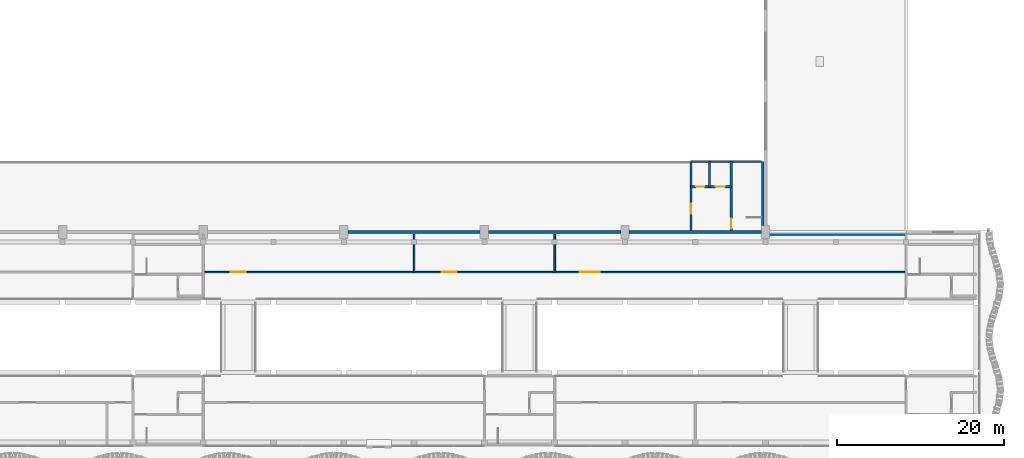
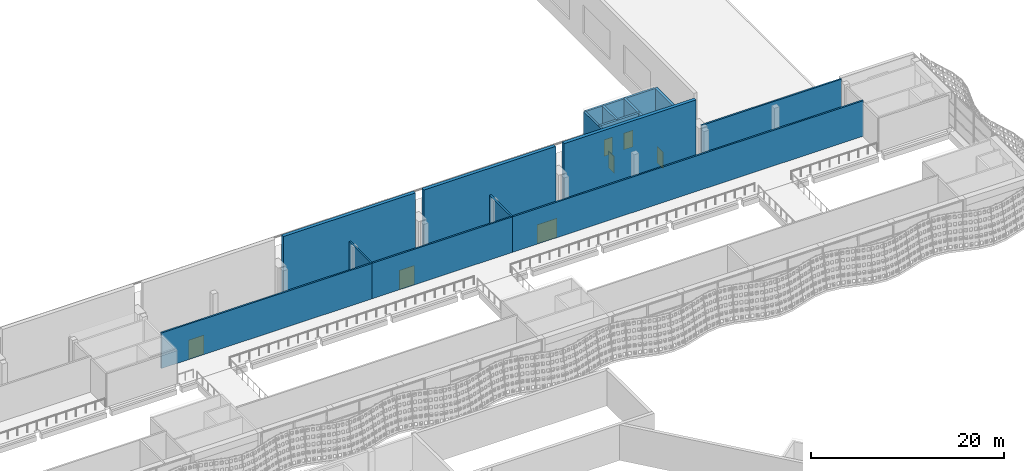
# One storey, part 90 of 162: 15 walls, 7 doors, 7 openings.
"""IFC4 building model written with IfcOpenShell, lengths in metres."""

from ifc_helpers import new_model, si_unit, direction, frame, frame_2d, origin, place, context, subcontext, project, spatial, rectangle, extrude, material, layer, layer_set, type_object, element, fill, save


model = new_model("IFC4")

# Units and contexts
model_context = context("Model", 3, precision=1e-05, world=origin(), true_north=direction((0.0, 1.0)))
body_context = subcontext(model_context, "Body", "Model", "MODEL_VIEW")
ifc_project = project(units=[si_unit("LENGTHUNIT", "METRE"), si_unit("AREAUNIT", "SQUARE_METRE"), si_unit("VOLUMEUNIT", "CUBIC_METRE"), si_unit("PLANEANGLEUNIT", "RADIAN"), si_unit("MASSUNIT", "GRAM", prefix="KILO")], contexts=[model_context])

# Site, building, storey
site_placement = place(None, origin())
site = spatial("IfcSite", under=ifc_project, at=site_placement, CompositionType="ELEMENT")
building_placement = place(site_placement, origin())
building = spatial("IfcBuilding", under=site, at=building_placement, Name="Rain Tree Exposition and Congress Centre", CompositionType="ELEMENT")
storey_placement = place(building_placement, frame((0.0, 0.0, 6.0)))
storey = spatial("IfcBuildingStorey", under=building, at=storey_placement, Name="L01", CompositionType="ELEMENT", Elevation=6.0)

# Walls
ifc_material_1 = material(Name="Hollow blockwork partition", Category="masonry")
ifc_layer_1 = layer(ifc_material_1, 0.199951171875)
ifc_layer_set_1 = layer_set([ifc_layer_1], Name="Hollow blockwork partition")
wall_type_1 = type_object("IfcWallType", Name="Concourse blockwork partition 200", PredefinedType="PARTITIONING", material=ifc_layer_set_1)
for number, where, z_axis, x_axis, name in (
    (1, (201.60009765625, 100.5, 0.0), (0.0, 0.0, 1.0), (0.0, -1.0, 0.0), "Concourse partition L01"),
    (2, (218.39990234375, 100.5, 0.0), (0.0, 0.0, 1.0), (0.0, -1.0, 0.0), "Concourse partition L01"),
):
    element("IfcWall", number, at=place(storey_placement, frame(where, z_axis=z_axis, x_axis=x_axis)), inside=storey, type_object=wall_type_1, Name=name, PredefinedType="PARTITIONING", context=body_context, shape_type="SweptSolid", body=[
        extrude(rectangle(XDim=4.5, YDim=0.199951171875, at=frame_2d((2.25, 0.0))), origin(), (0.0, 0.0, 1.0), 4.5),
    ])

# Wall, opening, door
wall_1_placement = place(storey_placement, frame((176.39990234375, 96.0, 0.0), z_axis=(0.0, 0.0, 1.0), x_axis=(1.0, 0.0, 0.0)))
wall_1 = element("IfcWall", 3, at=wall_1_placement, inside=storey, type_object=wall_type_1, Name="Concourse room front L01", PredefinedType="PARTITIONING", context=body_context, shape_type="SweptSolid", body=[
    extrude(rectangle(XDim=25.2001953125, YDim=0.199951171875, at=frame_2d((12.60009765625, 0.0))), origin(), (0.0, 0.0, 1.0), 4.5),
])
opening_1_placement = place(wall_1_placement, frame((3.300048828125, 0.0, 0.0)))
opening_1 = element("IfcOpeningElement", 4, at=opening_1_placement, cuts=wall_1, Name="Opening DC089", PredefinedType="OPENING", context=body_context, shape_type="SweptSolid", body=[
    extrude(rectangle(XDim=1.800048828125, YDim=2.39990234375, at=frame_2d((0.89990234375, 1.199951171875))), frame((0.0, 0.10009765625, 0.0), z_axis=(0.0, -1.0, 0.0), x_axis=(1.0, 0.0, 0.0)), (0.0, 0.0, 1.0), 0.199951171875),
])
ifc_material_2 = material(Name="Aluminium framed glazed door", Category="aluminium")
door_type_1 = type_object("IfcDoorType", Name="Concourse double door 1800x2400", OperationType="DOUBLE_DOOR_DOUBLE_SWING", PredefinedType="DOOR", material=ifc_material_2)
door_1_placement = place(opening_1_placement, origin())
door_1 = element("IfcDoor", 5, at=door_1_placement, inside=storey, type_object=door_type_1, Name="Room door DC089", OperationType="DOUBLE_DOOR_DOUBLE_SWING", OverallHeight=2.39990234375, OverallWidth=1.800048828125, PredefinedType="DOOR", context=body_context, shape_type="SweptSolid", body=[
    extrude(rectangle(XDim=1.800048828125, YDim=2.39990234375, at=frame_2d((0.89990234375, 1.199951171875))), frame((0.0, 0.02490234375, 0.0), z_axis=(0.0, -1.0, 0.0), x_axis=(1.0, 0.0, 0.0)), (0.0, 0.0, 1.0), 0.050048828125),
])
fill(opening_1, door_1)

wall_2_placement = place(storey_placement, frame((201.60009765625, 96.0, 0.0), z_axis=(0.0, 0.0, 1.0), x_axis=(1.0, 0.0, 0.0)))
wall_2 = element("IfcWall", 6, at=wall_2_placement, inside=storey, type_object=wall_type_1, Name="Concourse room front L01", PredefinedType="PARTITIONING", context=body_context, shape_type="SweptSolid", body=[
    extrude(rectangle(XDim=16.7998046875, YDim=0.199951171875, at=frame_2d((8.39990234375, 0.0))), origin(), (0.0, 0.0, 1.0), 4.5),
])
opening_2_placement = place(wall_2_placement, frame((3.300048828125, 0.0, 0.0)))
opening_2 = element("IfcOpeningElement", 7, at=opening_2_placement, cuts=wall_2, Name="Opening DC090", PredefinedType="OPENING", context=body_context, shape_type="SweptSolid", body=[
    extrude(rectangle(XDim=1.800048828125, YDim=2.39990234375, at=frame_2d((0.89990234375, 1.199951171875))), frame((0.0, 0.10009765625, 0.0), z_axis=(0.0, -1.0, 0.0), x_axis=(1.0, 0.0, 0.0)), (0.0, 0.0, 1.0), 0.199951171875),
])
door_2_placement = place(opening_2_placement, origin())
door_2 = element("IfcDoor", 8, at=door_2_placement, inside=storey, type_object=door_type_1, Name="Room door DC090", OperationType="DOUBLE_DOOR_DOUBLE_SWING", OverallHeight=2.39990234375, OverallWidth=1.800048828125, PredefinedType="DOOR", context=body_context, shape_type="SweptSolid", body=[
    extrude(rectangle(XDim=1.800048828125, YDim=2.39990234375, at=frame_2d((0.89990234375, 1.199951171875))), frame((0.0, 0.02490234375, 0.0), z_axis=(0.0, -1.0, 0.0), x_axis=(1.0, 0.0, 0.0)), (0.0, 0.0, 1.0), 0.050048828125),
])
fill(opening_2, door_2)

wall_3_placement = place(storey_placement, frame((218.39990234375, 96.0, 0.0), z_axis=(0.0, 0.0, 1.0), x_axis=(1.0, 0.0, 0.0)))
wall_3 = element("IfcWall", 9, at=wall_3_placement, inside=storey, type_object=wall_type_1, Name="Concourse room front L01", PredefinedType="PARTITIONING", context=body_context, shape_type="SweptSolid", body=[
    extrude(rectangle(XDim=42.0, YDim=0.199951171875, at=frame_2d((21.0, 0.0))), origin(), (0.0, 0.0, 1.0), 4.5),
])
opening_3_placement = place(wall_3_placement, frame((3.0, 0.0, 0.0)))
opening_3 = element("IfcOpeningElement", 10, at=opening_3_placement, cuts=wall_3, Name="Opening DC091", PredefinedType="OPENING", context=body_context, shape_type="SweptSolid", body=[
    extrude(rectangle(XDim=2.39990234375, YDim=2.39990234375, at=frame_2d((1.199951171875, 1.199951171875))), frame((0.0, 0.10009765625, 0.0), z_axis=(0.0, -1.0, 0.0), x_axis=(1.0, 0.0, 0.0)), (0.0, 0.0, 1.0), 0.199951171875),
])
ifc_material_3 = material(Name="Aluminium framed glazed door", Category="aluminium")
door_type_2 = type_object("IfcDoorType", Name="Concourse double door 2400x2400", OperationType="DOUBLE_DOOR_DOUBLE_SWING", PredefinedType="DOOR", material=ifc_material_3)
door_3_placement = place(opening_3_placement, origin())
door_3 = element("IfcDoor", 11, at=door_3_placement, inside=storey, type_object=door_type_2, Name="Room door DC091", OperationType="DOUBLE_DOOR_DOUBLE_SWING", OverallHeight=2.39990234375, OverallWidth=2.39990234375, PredefinedType="DOOR", context=body_context, shape_type="SweptSolid", body=[
    extrude(rectangle(XDim=2.39990234375, YDim=2.39990234375, at=frame_2d((1.199951171875, 1.199951171875))), frame((0.0, 0.02490234375, 0.0), z_axis=(0.0, -1.0, 0.0), x_axis=(1.0, 0.0, 0.0)), (0.0, 0.0, 1.0), 0.050048828125),
])
fill(opening_3, door_3)

# Walls
ifc_material_4 = material(Name="Concrete C40/50", Category="concrete")
ifc_layer_2 = layer(ifc_material_4, 0.199951171875)
ifc_layer_set_2 = layer_set([ifc_layer_2], Name="Concrete C40/50")
wall_type_2 = type_object("IfcWallType", Name="Concourse infill wall 200", PredefinedType="SOLIDWALL", material=ifc_layer_set_2)
wall_4_placement = place(storey_placement, frame((243.60009765625, 100.5, 0.0), z_axis=(0.0, 0.0, 1.0), x_axis=(1.0, 0.0, 0.0)))
element("IfcWall", 12, at=wall_4_placement, inside=storey, type_object=wall_type_2, Name="Concourse north wall over the service block", PredefinedType="SOLIDWALL", context=body_context, shape_type="SweptSolid", body=[
    extrude(rectangle(XDim=16.7998046875, YDim=0.199951171875, at=frame_2d((8.39990234375, 0.0))), origin(), (0.0, 0.0, 1.0), 4.5),
])
ifc_material_5 = material(Name="Concrete C40/50", Category="concrete")
ifc_layer_3 = layer(ifc_material_5, 0.300048828125)
ifc_layer_set_3 = layer_set([ifc_layer_3], Name="Concrete C40/50")
wall_type_3 = type_object("IfcWallType", Name="Core gable pier wall 300", PredefinedType="SHEAR", material=ifc_layer_set_3)
wall_5_placement = place(storey_placement, frame((243.25, 101.60009765625, 0.0), z_axis=(0.0, 0.0, 1.0), x_axis=(0.0, 1.0, 0.0)))
element("IfcWall", 13, at=wall_5_placement, inside=storey, type_object=wall_type_3, Name="Gable pier wall 6", PredefinedType="SHEAR", context=body_context, shape_type="SweptSolid", body=[
    extrude(rectangle(XDim=7.599853515625, YDim=0.300048828125, at=frame_2d((3.7998046875, 0.0))), origin(), (0.0, 0.0, 1.0), 4.10009765625),
])

# Wall, opening, door
ifc_material_6 = material(Name="Concrete C40/50", Category="concrete")
ifc_layer_4 = layer(ifc_material_6, 0.25)
ifc_layer_set_4 = layer_set([ifc_layer_4], Name="Concrete C40/50")
wall_type_4 = type_object("IfcWallType", Name="Core wall 250", PredefinedType="SHEAR", material=ifc_layer_set_4)
wall_6_placement = place(storey_placement, frame((239.5, 101.0, 0.0), z_axis=(0.0, 0.0, 1.0), x_axis=(0.0, 1.0, 0.0)))
wall_6 = element("IfcWall", 14, at=wall_6_placement, inside=storey, type_object=wall_type_4, Name="Stair wall 6", PredefinedType="SHEAR", context=body_context, shape_type="SweptSolid", body=[
    extrude(rectangle(XDim=8.199951171875, YDim=0.25, at=frame_2d((4.10009765625, 0.0))), origin(), (0.0, 0.0, 1.0), 4.10009765625),
])
opening_4_placement = place(wall_6_placement, frame((0.199951171875, 0.0, 0.0)))
opening_4 = element("IfcOpeningElement", 15, at=opening_4_placement, cuts=wall_6, Name="Opening DH225", PredefinedType="OPENING", context=body_context, shape_type="SweptSolid", body=[
    extrude(rectangle(XDim=1.199951171875, YDim=2.10009765625, at=frame_2d((0.60009765625, 1.050048828125))), frame((0.0, 0.125, 0.0), z_axis=(0.0, -1.0, 0.0), x_axis=(1.0, 0.0, 0.0)), (0.0, 0.0, 1.0), 0.25),
])
ifc_material_7 = material(Name="Painted steel fire door", Category="steel")
door_type_3 = type_object("IfcDoorType", Name="Stair fire door 1200x2100", OperationType="NOTDEFINED", PredefinedType="DOOR", material=ifc_material_7)
door_4_placement = place(opening_4_placement, origin())
door_4 = element("IfcDoor", 16, at=door_4_placement, inside=storey, type_object=door_type_3, Name="Door DH225", OperationType="SINGLE_SWING_LEFT", OverallHeight=2.10009765625, OverallWidth=1.199951171875, PredefinedType="DOOR", context=body_context, shape_type="SweptSolid", body=[
    extrude(rectangle(XDim=1.199951171875, YDim=2.10009765625, at=frame_2d((0.60009765625, 1.050048828125))), frame((0.0, 0.02490234375, 0.0), z_axis=(0.0, -1.0, 0.0), x_axis=(1.0, 0.0, 0.0)), (0.0, 0.0, 1.0), 0.050048828125),
])
fill(opening_4, door_4)

# Wall
wall_7_placement = place(storey_placement, frame((243.10009765625, 109.199951171875, 0.0), z_axis=(0.0, 0.0, 1.0), x_axis=(-1.0, 0.0, 0.0)))
element("IfcWall", 17, at=wall_7_placement, inside=storey, type_object=wall_type_4, Name="Core north wall 6", PredefinedType="SHEAR", context=body_context, shape_type="SweptSolid", body=[
    extrude(rectangle(XDim=8.400146484375, YDim=0.25, at=frame_2d((4.2001953125, 0.0))), origin(), (0.0, 0.0, 1.0), 4.10009765625),
])

# Wall, opening, door
wall_8_placement = place(storey_placement, frame((234.699951171875, 101.0, 0.0), z_axis=(0.0, 0.0, 1.0), x_axis=(0.0, 1.0, 0.0)))
wall_8 = element("IfcWall", 18, at=wall_8_placement, inside=storey, type_object=wall_type_4, Name="Core east wall 6", PredefinedType="SHEAR", context=body_context, shape_type="SweptSolid", body=[
    extrude(rectangle(XDim=8.199951171875, YDim=0.25, at=frame_2d((4.10009765625, 0.0))), origin(), (0.0, 0.0, 1.0), 4.10009765625),
])
opening_5_placement = place(wall_8_placement, frame((2.0, 0.0, 0.0)))
opening_5 = element("IfcOpeningElement", 19, at=opening_5_placement, cuts=wall_8, Name="Opening DH226", PredefinedType="OPENING", context=body_context, shape_type="SweptSolid", body=[
    extrude(rectangle(XDim=1.199951171875, YDim=2.10009765625, at=frame_2d((0.60009765625, 1.050048828125))), frame((0.0, 0.125, 0.0), z_axis=(0.0, -1.0, 0.0), x_axis=(1.0, 0.0, 0.0)), (0.0, 0.0, 1.0), 0.25),
])
ifc_material_8 = material(Name="Painted steel fire door", Category="steel")
door_type_4 = type_object("IfcDoorType", Name="Lobby fire door 1200x2100", OperationType="NOTDEFINED", PredefinedType="DOOR", material=ifc_material_8)
door_5_placement = place(opening_5_placement, origin())
door_5 = element("IfcDoor", 20, at=door_5_placement, inside=storey, type_object=door_type_4, Name="Door DH226", OperationType="SINGLE_SWING_LEFT", OverallHeight=2.10009765625, OverallWidth=1.199951171875, PredefinedType="DOOR", context=body_context, shape_type="SweptSolid", body=[
    extrude(rectangle(XDim=1.199951171875, YDim=2.10009765625, at=frame_2d((0.60009765625, 1.050048828125))), frame((0.0, 0.02490234375, 0.0), z_axis=(0.0, -1.0, 0.0), x_axis=(1.0, 0.0, 0.0)), (0.0, 0.0, 1.0), 0.050048828125),
])
fill(opening_5, door_5)

# Wall, openings, doors
wall_9_placement = place(storey_placement, frame((239.5, 106.199951171875, 0.0), z_axis=(0.0, 0.0, 1.0), x_axis=(-1.0, 0.0, 0.0)))
wall_9 = element("IfcWall", 21, at=wall_9_placement, inside=storey, type_object=wall_type_4, Name="Lift lobby wall 6", PredefinedType="SHEAR", context=body_context, shape_type="SweptSolid", body=[
    extrude(rectangle(XDim=4.800048828125, YDim=0.25, at=frame_2d((2.39990234375, 0.0))), origin(), (0.0, 0.0, 1.0), 4.10009765625),
])
opening_6_placement = place(wall_9_placement, frame((0.75, 0.0, 0.0)))
opening_6 = element("IfcOpeningElement", 22, at=opening_6_placement, cuts=wall_9, Name="Opening DH227", PredefinedType="OPENING", context=body_context, shape_type="SweptSolid", body=[
    extrude(rectangle(XDim=1.10009765625, YDim=2.10009765625, at=frame_2d((0.550048828125, 1.050048828125))), frame((0.0, 0.125, 0.0), z_axis=(0.0, -1.0, 0.0), x_axis=(1.0, 0.0, 0.0)), (0.0, 0.0, 1.0), 0.25),
])
opening_7_placement = place(wall_9_placement, frame((3.199951171875, 0.0, 0.0)))
opening_7 = element("IfcOpeningElement", 23, at=opening_7_placement, cuts=wall_9, Name="Opening DH228", PredefinedType="OPENING", context=body_context, shape_type="SweptSolid", body=[
    extrude(rectangle(XDim=1.0, YDim=2.10009765625, at=frame_2d((0.5, 1.050048828125))), frame((0.0, 0.125, 0.0), z_axis=(0.0, -1.0, 0.0), x_axis=(1.0, 0.0, 0.0)), (0.0, 0.0, 1.0), 0.25),
])
ifc_material_9 = material(Name="Stainless steel", Category="steel")
door_type_5 = type_object("IfcDoorType", Name="Lift landing door 1100x2100", OperationType="DOUBLE_DOOR_SLIDING", PredefinedType="DOOR", material=ifc_material_9)
door_6_placement = place(opening_6_placement, origin())
door_6 = element("IfcDoor", 24, at=door_6_placement, inside=storey, type_object=door_type_5, Name="Door DH227", OperationType="DOUBLE_DOOR_SLIDING", OverallHeight=2.10009765625, OverallWidth=1.10009765625, PredefinedType="DOOR", context=body_context, shape_type="SweptSolid", body=[
    extrude(rectangle(XDim=1.10009765625, YDim=2.10009765625, at=frame_2d((0.550048828125, 1.050048828125))), frame((0.0, 0.02490234375, 0.0), z_axis=(0.0, -1.0, 0.0), x_axis=(1.0, 0.0, 0.0)), (0.0, 0.0, 1.0), 0.050048828125),
])
fill(opening_6, door_6)
ifc_material_10 = material(Name="Painted steel door", Category="steel")
door_type_6 = type_object("IfcDoorType", Name="Single leaf door 1000x2100", OperationType="NOTDEFINED", PredefinedType="DOOR", material=ifc_material_10)
door_7_placement = place(opening_7_placement, origin())
door_7 = element("IfcDoor", 25, at=door_7_placement, inside=storey, type_object=door_type_6, Name="Door DH228", OperationType="SINGLE_SWING_RIGHT", OverallHeight=2.10009765625, OverallWidth=1.0, PredefinedType="DOOR", context=body_context, shape_type="SweptSolid", body=[
    extrude(rectangle(XDim=1.0, YDim=2.10009765625, at=frame_2d((0.5, 1.050048828125))), frame((0.0, 0.02490234375, 0.0), z_axis=(0.0, -1.0, 0.0), x_axis=(1.0, 0.0, 0.0)), (0.0, 0.0, 1.0), 0.050048828125),
])
fill(opening_7, door_7)

# Walls
wall_10_placement = place(storey_placement, frame((236.89990234375, 106.199951171875, 0.0), z_axis=(0.0, 0.0, 1.0), x_axis=(0.0, 1.0, 0.0)))
element("IfcWall", 26, at=wall_10_placement, inside=storey, type_object=wall_type_4, Name="Lift shaft wall 6", PredefinedType="SHEAR", context=body_context, shape_type="SweptSolid", body=[
    extrude(rectangle(XDim=3.0, YDim=0.25, at=frame_2d((1.5, 0.0))), origin(), (0.0, 0.0, 1.0), 4.10009765625),
])
ifc_material_11 = material(Name="Precast concrete C50/60", Category="concrete")
ifc_layer_5 = layer(ifc_material_11, 0.39990234375)
ifc_layer_set_5 = layer_set([ifc_layer_5], Name="Precast concrete C50/60")
wall_type_5 = type_object("IfcWallType", Name="Hall precast wall 400", PredefinedType="STANDARD", material=ifc_layer_set_5)
for number, where, z_axis, x_axis, name in (
    (27, (193.699951171875, 100.800048828125, -0.300048828125), (0.0, 0.0, 1.0), (1.0, 0.0, 0.0), "Cladding wall S4"),
    (28, (210.5, 100.800048828125, -0.300048828125), (0.0, 0.0, 1.0), (1.0, 0.0, 0.0), "Cladding wall S5"),
    (29, (227.300048828125, 100.800048828125, -0.300048828125), (0.0, 0.0, 1.0), (1.0, 0.0, 0.0), "Cladding wall S6"),
):
    element("IfcWall", number, at=place(storey_placement, frame(where, z_axis=z_axis, x_axis=x_axis)), inside=storey, type_object=wall_type_5, Name=name, PredefinedType="STANDARD", context=body_context, shape_type="SweptSolid", body=[
        extrude(rectangle(XDim=15.800048828125, YDim=0.39990234375, at=frame_2d((7.89990234375, 0.0))), origin(), (0.0, 0.0, 1.0), 8.10009765625),
    ])

save(model, "model.ifc")
